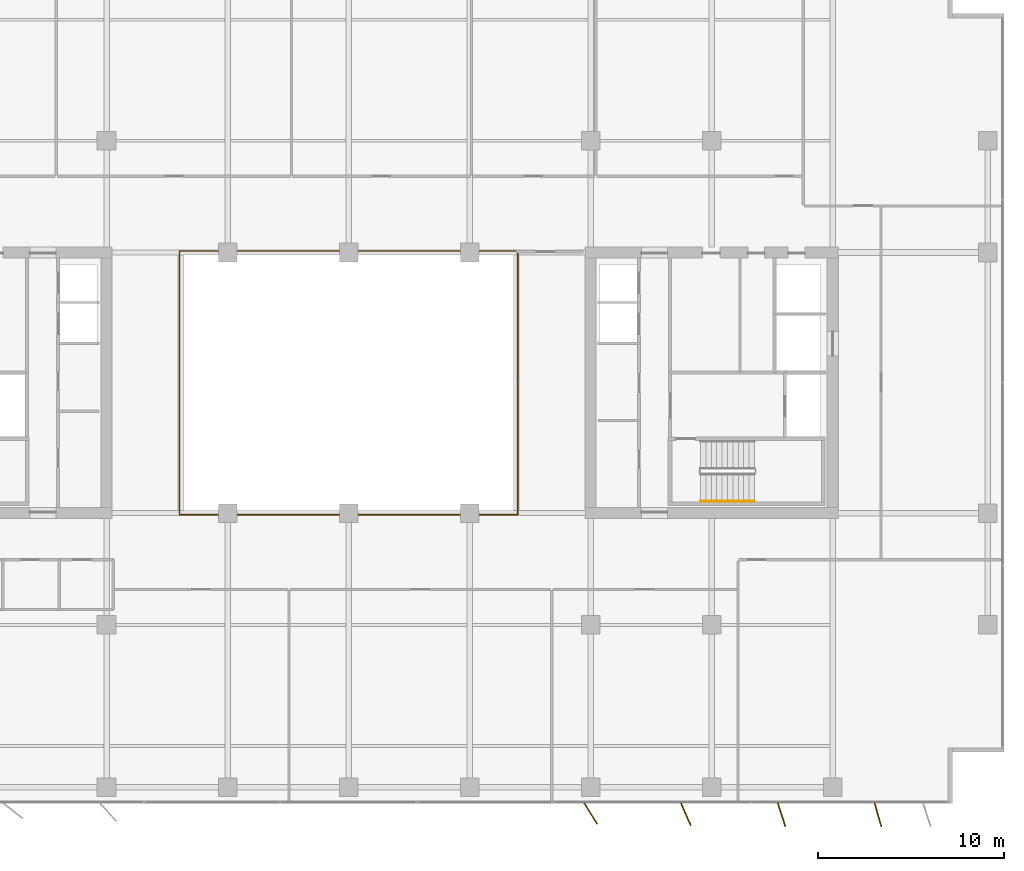
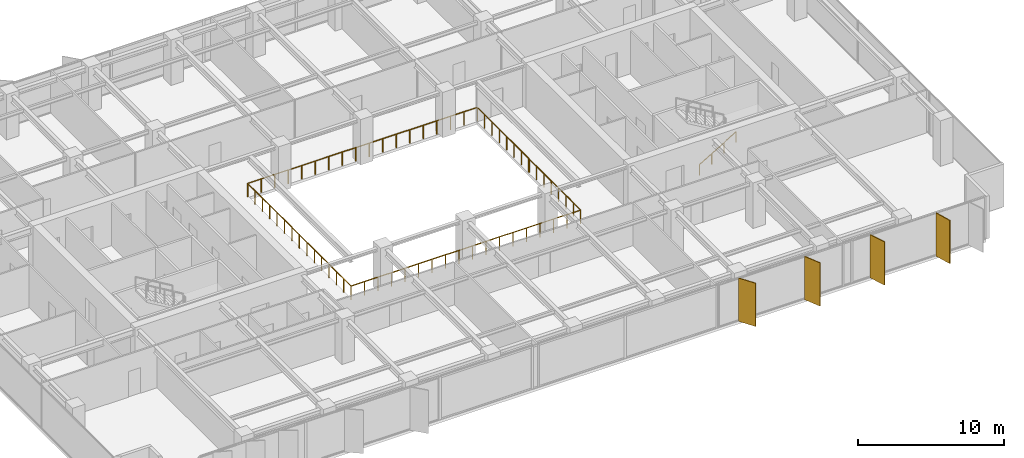
# One storey, part 20 of 22: 4 shading devices, 3 railings.
"""IFC4 building model written with IfcOpenShell, lengths in metres."""

from ifc_helpers import new_model, si_unit, direction, frame, origin, origin_2d, place, context, subcontext, project, spatial, rectangle, circle, extrude, material, layer, layer_set, type_object, element, save


model = new_model("IFC4")

# Units and contexts
model_context = context("Model", 3, precision=1e-05, world=origin(), true_north=direction((0.0, 1.0)))
body_context = subcontext(model_context, "Body", "Model", "MODEL_VIEW")
ifc_project = project(units=[si_unit("LENGTHUNIT", "METRE"), si_unit("AREAUNIT", "SQUARE_METRE"), si_unit("VOLUMEUNIT", "CUBIC_METRE"), si_unit("PLANEANGLEUNIT", "RADIAN"), si_unit("MASSUNIT", "GRAM", prefix="KILO")], contexts=[model_context])

# Site, building, storey
site_placement = place(None, origin())
site = spatial("IfcSite", under=ifc_project, at=site_placement, CompositionType="ELEMENT")
building_placement = place(site_placement, origin())
building = spatial("IfcBuilding", under=site, at=building_placement, Name="Putna Gate Headquarters", CompositionType="ELEMENT")
storey_placement = place(building_placement, frame((0.0, 0.0, 151.800048828125)))
storey = spatial("IfcBuildingStorey", under=building, at=storey_placement, Name="L37", CompositionType="ELEMENT", Elevation=151.800048828125)

# Railings
ifc_material_1 = material(Name="Anodised bronze and laminated glass atrium balustrade", Category="glass")
railing_type_1 = type_object("IfcRailingType", Name="RAIL-ATRIUM-GUARD-1150", PredefinedType="GUARDRAIL", material=ifc_material_1)
railing_1_placement = place(storey_placement, frame((29.919921875, 25.969970703125, 0.0)))
element("IfcRailing", 1, at=railing_1_placement, inside=storey, type_object=railing_type_1, Name="L37 Central Atrium Glazed Balustrade South", PredefinedType="GUARDRAIL", context=body_context, shape_type="SweptSolid", body=[
    extrude(circle(Radius=0.02392578125, at=origin_2d()), frame((0.0, 0.0, 1.1259765625), z_axis=(0.0, -1.0, 0.0), x_axis=(1.0, 0.0, 0.0)), (0.0, 0.0, 1.0), 7.050048828125),
    extrude(circle(Radius=0.02392578125, at=origin_2d()), frame((0.0, -7.050048828125, 1.1259765625), z_axis=(1.0, 0.0, 0.0), x_axis=(0.0, 1.0, 0.0)), (0.0, 0.0, 1.0), 18.16015625),
    extrude(circle(Radius=0.02392578125, at=origin_2d()), frame((18.16015625, -7.050048828125, 1.1259765625), z_axis=(0.0, 1.0, 0.0), x_axis=(-1.0, 0.0, 0.0)), (0.0, 0.0, 1.0), 7.050048828125),
    extrude(circle(Radius=0.02099609375, at=origin_2d()), origin(), (0.0, 0.0, 1.0), 1.101806640625),
    extrude(circle(Radius=0.02099609375, at=origin_2d()), frame((0.0, -1.007080078125, 0.0)), (0.0, 0.0, 1.0), 1.101806640625),
    extrude(circle(Radius=0.02099609375, at=origin_2d()), frame((0.0, -2.014404296875, 0.0)), (0.0, 0.0, 1.0), 1.101806640625),
    extrude(circle(Radius=0.02099609375, at=origin_2d()), frame((0.0, -3.021484375, 0.0)), (0.0, 0.0, 1.0), 1.101806640625),
    extrude(circle(Radius=0.02099609375, at=origin_2d()), frame((0.0, -4.028564453125, 0.0)), (0.0, 0.0, 1.0), 1.101806640625),
    extrude(circle(Radius=0.02099609375, at=origin_2d()), frame((0.0, -5.03564453125, 0.0)), (0.0, 0.0, 1.0), 1.101806640625),
    extrude(circle(Radius=0.02099609375, at=origin_2d()), frame((0.0, -6.04296875, 0.0)), (0.0, 0.0, 1.0), 1.101806640625),
    extrude(circle(Radius=0.02099609375, at=origin_2d()), frame((0.0, -7.050048828125, 0.0)), (0.0, 0.0, 1.0), 1.101806640625),
    extrude(circle(Radius=0.02099609375, at=origin_2d()), frame((1.068359375, -7.050048828125, 0.0)), (0.0, 0.0, 1.0), 1.101806640625),
    extrude(circle(Radius=0.02099609375, at=origin_2d()), frame((2.136474609375, -7.050048828125, 0.0)), (0.0, 0.0, 1.0), 1.101806640625),
    extrude(circle(Radius=0.02099609375, at=origin_2d()), frame((3.204833984375, -7.050048828125, 0.0)), (0.0, 0.0, 1.0), 1.101806640625),
    extrude(circle(Radius=0.02099609375, at=origin_2d()), frame((4.27294921875, -7.050048828125, 0.0)), (0.0, 0.0, 1.0), 1.101806640625),
    extrude(circle(Radius=0.02099609375, at=origin_2d()), frame((5.34130859375, -7.050048828125, 0.0)), (0.0, 0.0, 1.0), 1.101806640625),
    extrude(circle(Radius=0.02099609375, at=origin_2d()), frame((6.409423828125, -7.050048828125, 0.0)), (0.0, 0.0, 1.0), 1.101806640625),
    extrude(circle(Radius=0.02099609375, at=origin_2d()), frame((7.477783203125, -7.050048828125, 0.0)), (0.0, 0.0, 1.0), 1.101806640625),
    extrude(circle(Radius=0.02099609375, at=origin_2d()), frame((8.5458984375, -7.050048828125, 0.0)), (0.0, 0.0, 1.0), 1.101806640625),
    extrude(circle(Radius=0.02099609375, at=origin_2d()), frame((9.6142578125, -7.050048828125, 0.0)), (0.0, 0.0, 1.0), 1.101806640625),
    extrude(circle(Radius=0.02099609375, at=origin_2d()), frame((10.682373046875, -7.050048828125, 0.0)), (0.0, 0.0, 1.0), 1.101806640625),
    extrude(circle(Radius=0.02099609375, at=origin_2d()), frame((11.750732421875, -7.050048828125, 0.0)), (0.0, 0.0, 1.0), 1.101806640625),
    extrude(circle(Radius=0.02099609375, at=origin_2d()), frame((12.81884765625, -7.050048828125, 0.0)), (0.0, 0.0, 1.0), 1.101806640625),
    extrude(circle(Radius=0.02099609375, at=origin_2d()), frame((13.88720703125, -7.050048828125, 0.0)), (0.0, 0.0, 1.0), 1.101806640625),
    extrude(circle(Radius=0.02099609375, at=origin_2d()), frame((14.955322265625, -7.050048828125, 0.0)), (0.0, 0.0, 1.0), 1.101806640625),
    extrude(circle(Radius=0.02099609375, at=origin_2d()), frame((16.023681640625, -7.050048828125, 0.0)), (0.0, 0.0, 1.0), 1.101806640625),
    extrude(circle(Radius=0.02099609375, at=origin_2d()), frame((17.091796875, -7.050048828125, 0.0)), (0.0, 0.0, 1.0), 1.101806640625),
    extrude(circle(Radius=0.02099609375, at=origin_2d()), frame((18.16015625, -7.050048828125, 0.0)), (0.0, 0.0, 1.0), 1.101806640625),
    extrude(circle(Radius=0.02099609375, at=origin_2d()), frame((18.16015625, -6.04296875, 0.0)), (0.0, 0.0, 1.0), 1.101806640625),
    extrude(circle(Radius=0.02099609375, at=origin_2d()), frame((18.16015625, -5.03564453125, 0.0)), (0.0, 0.0, 1.0), 1.101806640625),
    extrude(circle(Radius=0.02099609375, at=origin_2d()), frame((18.16015625, -4.028564453125, 0.0)), (0.0, 0.0, 1.0), 1.101806640625),
    extrude(circle(Radius=0.02099609375, at=origin_2d()), frame((18.16015625, -3.021484375, 0.0)), (0.0, 0.0, 1.0), 1.101806640625),
    extrude(circle(Radius=0.02099609375, at=origin_2d()), frame((18.16015625, -2.014404296875, 0.0)), (0.0, 0.0, 1.0), 1.101806640625),
    extrude(circle(Radius=0.02099609375, at=origin_2d()), frame((18.16015625, -1.007080078125, 0.0)), (0.0, 0.0, 1.0), 1.101806640625),
    extrude(circle(Radius=0.02099609375, at=origin_2d()), frame((18.16015625, 0.0, 0.0)), (0.0, 0.0, 1.0), 1.101806640625),
])
railing_2_placement = place(storey_placement, frame((48.080078125, 26.030029296875, 0.0)))
element("IfcRailing", 2, at=railing_2_placement, inside=storey, type_object=railing_type_1, Name="L37 Central Atrium Glazed Balustrade North", PredefinedType="GUARDRAIL", context=body_context, shape_type="SweptSolid", body=[
    extrude(circle(Radius=0.02392578125, at=origin_2d()), frame((0.0, 0.0, 1.1259765625), z_axis=(0.0, 1.0, 0.0), x_axis=(-1.0, 0.0, 0.0)), (0.0, 0.0, 1.0), 7.050048828125),
    extrude(circle(Radius=0.02392578125, at=origin_2d()), frame((0.0, 7.050048828125, 1.1259765625), z_axis=(-1.0, 0.0, 0.0), x_axis=(0.0, -1.0, 0.0)), (0.0, 0.0, 1.0), 18.16015625),
    extrude(circle(Radius=0.02392578125, at=origin_2d()), frame((-18.16015625, 7.050048828125, 1.1259765625), z_axis=(0.0, -1.0, 0.0), x_axis=(1.0, 0.0, 0.0)), (0.0, 0.0, 1.0), 7.050048828125),
    extrude(circle(Radius=0.02099609375, at=origin_2d()), origin(), (0.0, 0.0, 1.0), 1.101806640625),
    extrude(circle(Radius=0.02099609375, at=origin_2d()), frame((0.0, 1.007080078125, 0.0)), (0.0, 0.0, 1.0), 1.101806640625),
    extrude(circle(Radius=0.02099609375, at=origin_2d()), frame((0.0, 2.014404296875, 0.0)), (0.0, 0.0, 1.0), 1.101806640625),
    extrude(circle(Radius=0.02099609375, at=origin_2d()), frame((0.0, 3.021484375, 0.0)), (0.0, 0.0, 1.0), 1.101806640625),
    extrude(circle(Radius=0.02099609375, at=origin_2d()), frame((0.0, 4.028564453125, 0.0)), (0.0, 0.0, 1.0), 1.101806640625),
    extrude(circle(Radius=0.02099609375, at=origin_2d()), frame((0.0, 5.03564453125, 0.0)), (0.0, 0.0, 1.0), 1.101806640625),
    extrude(circle(Radius=0.02099609375, at=origin_2d()), frame((0.0, 6.04296875, 0.0)), (0.0, 0.0, 1.0), 1.101806640625),
    extrude(circle(Radius=0.02099609375, at=origin_2d()), frame((0.0, 7.050048828125, 0.0)), (0.0, 0.0, 1.0), 1.101806640625),
    extrude(circle(Radius=0.02099609375, at=origin_2d()), frame((-1.068359375, 7.050048828125, 0.0)), (0.0, 0.0, 1.0), 1.101806640625),
    extrude(circle(Radius=0.02099609375, at=origin_2d()), frame((-2.136474609375, 7.050048828125, 0.0)), (0.0, 0.0, 1.0), 1.101806640625),
    extrude(circle(Radius=0.02099609375, at=origin_2d()), frame((-3.204833984375, 7.050048828125, 0.0)), (0.0, 0.0, 1.0), 1.101806640625),
    extrude(circle(Radius=0.02099609375, at=origin_2d()), frame((-4.27294921875, 7.050048828125, 0.0)), (0.0, 0.0, 1.0), 1.101806640625),
    extrude(circle(Radius=0.02099609375, at=origin_2d()), frame((-5.34130859375, 7.050048828125, 0.0)), (0.0, 0.0, 1.0), 1.101806640625),
    extrude(circle(Radius=0.02099609375, at=origin_2d()), frame((-6.409423828125, 7.050048828125, 0.0)), (0.0, 0.0, 1.0), 1.101806640625),
    extrude(circle(Radius=0.02099609375, at=origin_2d()), frame((-7.477783203125, 7.050048828125, 0.0)), (0.0, 0.0, 1.0), 1.101806640625),
    extrude(circle(Radius=0.02099609375, at=origin_2d()), frame((-8.5458984375, 7.050048828125, 0.0)), (0.0, 0.0, 1.0), 1.101806640625),
    extrude(circle(Radius=0.02099609375, at=origin_2d()), frame((-9.6142578125, 7.050048828125, 0.0)), (0.0, 0.0, 1.0), 1.101806640625),
    extrude(circle(Radius=0.02099609375, at=origin_2d()), frame((-10.682373046875, 7.050048828125, 0.0)), (0.0, 0.0, 1.0), 1.101806640625),
    extrude(circle(Radius=0.02099609375, at=origin_2d()), frame((-11.750732421875, 7.050048828125, 0.0)), (0.0, 0.0, 1.0), 1.101806640625),
    extrude(circle(Radius=0.02099609375, at=origin_2d()), frame((-12.81884765625, 7.050048828125, 0.0)), (0.0, 0.0, 1.0), 1.101806640625),
    extrude(circle(Radius=0.02099609375, at=origin_2d()), frame((-13.88720703125, 7.050048828125, 0.0)), (0.0, 0.0, 1.0), 1.101806640625),
    extrude(circle(Radius=0.02099609375, at=origin_2d()), frame((-14.955322265625, 7.050048828125, 0.0)), (0.0, 0.0, 1.0), 1.101806640625),
    extrude(circle(Radius=0.02099609375, at=origin_2d()), frame((-16.023681640625, 7.050048828125, 0.0)), (0.0, 0.0, 1.0), 1.101806640625),
    extrude(circle(Radius=0.02099609375, at=origin_2d()), frame((-17.091796875, 7.050048828125, 0.0)), (0.0, 0.0, 1.0), 1.101806640625),
    extrude(circle(Radius=0.02099609375, at=origin_2d()), frame((-18.16015625, 7.050048828125, 0.0)), (0.0, 0.0, 1.0), 1.101806640625),
    extrude(circle(Radius=0.02099609375, at=origin_2d()), frame((-18.16015625, 6.04296875, 0.0)), (0.0, 0.0, 1.0), 1.101806640625),
    extrude(circle(Radius=0.02099609375, at=origin_2d()), frame((-18.16015625, 5.03564453125, 0.0)), (0.0, 0.0, 1.0), 1.101806640625),
    extrude(circle(Radius=0.02099609375, at=origin_2d()), frame((-18.16015625, 4.028564453125, 0.0)), (0.0, 0.0, 1.0), 1.101806640625),
    extrude(circle(Radius=0.02099609375, at=origin_2d()), frame((-18.16015625, 3.021484375, 0.0)), (0.0, 0.0, 1.0), 1.101806640625),
    extrude(circle(Radius=0.02099609375, at=origin_2d()), frame((-18.16015625, 2.014404296875, 0.0)), (0.0, 0.0, 1.0), 1.101806640625),
    extrude(circle(Radius=0.02099609375, at=origin_2d()), frame((-18.16015625, 1.007080078125, 0.0)), (0.0, 0.0, 1.0), 1.101806640625),
    extrude(circle(Radius=0.02099609375, at=origin_2d()), frame((-18.16015625, 0.0, 0.0)), (0.0, 0.0, 1.0), 1.101806640625),
])
ifc_material_2 = material(Name="Brushed stainless steel handrail", Category="steel")
railing_type_2 = type_object("IfcRailingType", Name="RAIL-STAIR-HAND-900", PredefinedType="HANDRAIL", material=ifc_material_2)
railing_3_placement = place(storey_placement, frame((57.89990234375, 19.64990234375, 0.172607421875)))
element("IfcRailing", 3, at=railing_3_placement, inside=storey, type_object=railing_type_2, Name="L37 ST2 stair handrail 1", PredefinedType="HANDRAIL", context=body_context, shape_type="SweptSolid", body=[
    extrude(circle(Radius=0.02392578125, at=origin_2d()), frame((0.0, 0.0, 0.8759765625), z_axis=(0.859160404282, 0.0, 0.51170636083), x_axis=(0.0, 1.0, 0.0)), (0.0, 0.0, 1.0), 3.37548828125),
    extrude(circle(Radius=0.02099609375, at=origin_2d()), origin(), (0.0, 0.0, 1.0), 0.851806640625),
    extrude(circle(Radius=0.02099609375, at=origin_2d()), frame((0.966796875, 0.0, 0.57568359375)), (0.0, 0.0, 1.0), 0.851806640625),
    extrude(circle(Radius=0.02099609375, at=origin_2d()), frame((1.933349609375, 0.0, 1.151611328125)), (0.0, 0.0, 1.0), 0.851806640625),
    extrude(circle(Radius=0.02099609375, at=origin_2d()), frame((2.900146484375, 0.0, 1.727294921875)), (0.0, 0.0, 1.0), 0.851806640625),
])

# Shading devices
ifc_material_3 = material(Name="Anodised architectural bronze aluminium fin", Category="aluminium")
ifc_layer = layer(ifc_material_3, 0.06494140625)
ifc_layer_set = layer_set([ifc_layer], Name="Anodised architectural bronze aluminium fin")
shading_device_type = type_object("IfcShadingDeviceType", Name="SHADE-BRONZE-FIN-1320", PredefinedType="USERDEFINED", material=ifc_layer_set)
for number, where, z_axis, x_axis, name in (
    (4, (52.000244140625, 2.865478515625, -0.02001953125), (0.0, 0.0, 1.0), (0.530659123936, -0.847585331506, 0.0), "L37 Bronze Vertical Shading Fin S7"),
    (5, (57.114501953125, 2.8203125, -0.02001953125), (0.0, 0.0, 1.0), (0.400668879095, -0.916222925562, 0.0), "L37 Bronze Vertical Shading Fin S8"),
    (6, (62.253662109375, 2.797119140625, -0.02001953125), (0.0, 0.0, 1.0), (0.308684994204, -0.951164325631, 0.0), "L37 Bronze Vertical Shading Fin S9"),
    (7, (67.431884765625, 2.79052734375, -0.02001953125), (0.0, 0.0, 1.0), (0.275637355817, -0.961261695938, 0.0), "L37 Bronze Vertical Shading Fin S10"),
):
    element("IfcShadingDevice", number, at=place(storey_placement, frame(where, z_axis=z_axis, x_axis=x_axis)), inside=storey, type_object=shading_device_type, Name=name, ObjectType="FIN", PredefinedType="USERDEFINED", context=body_context, shape_type="SweptSolid", body=[
        extrude(rectangle(XDim=1.320068359375, YDim=0.06494140625, at=origin_2d()), origin(), (0.0, 0.0, 1.0), 3.612060546875),
    ])

save(model, "model.ifc")
